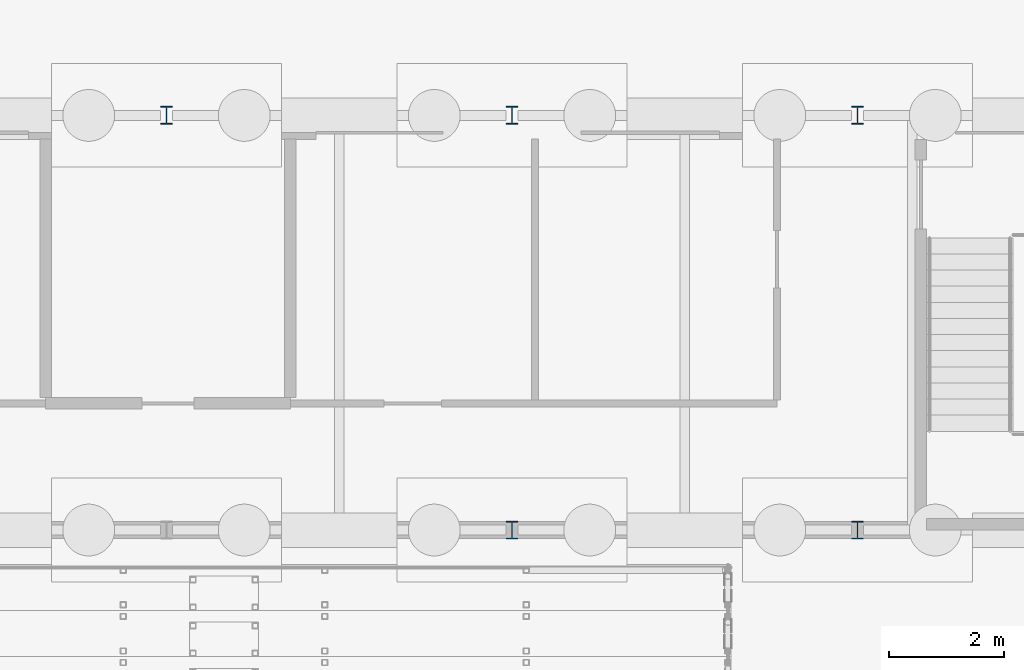
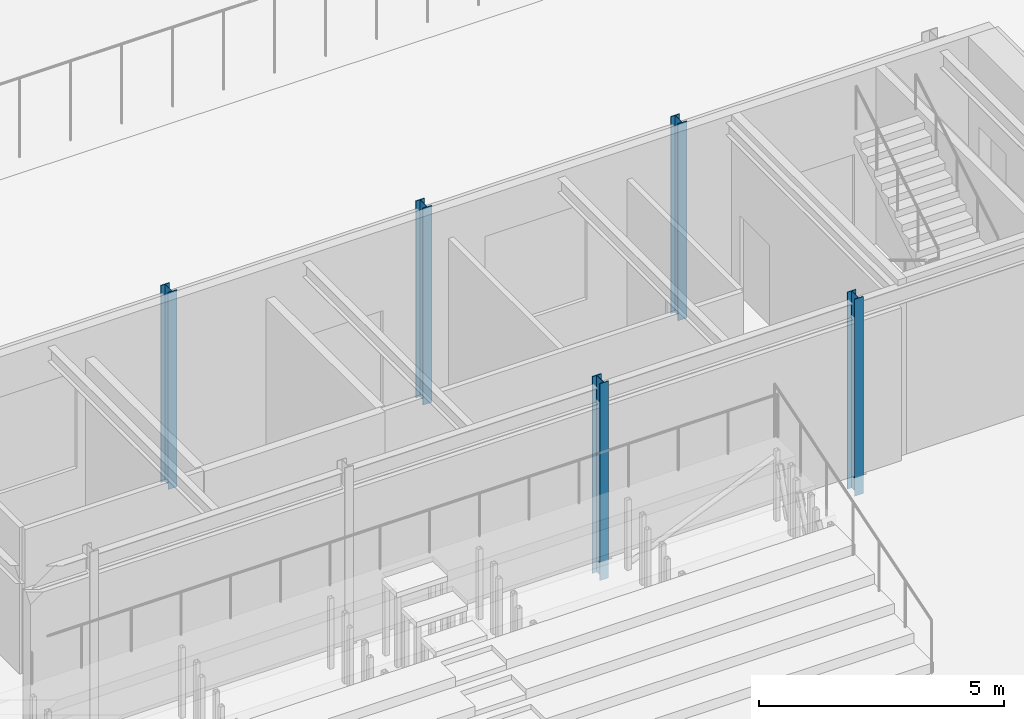
# One storey, part 16 of 139: 5 columns.
"""IFC4 building model written with IfcOpenShell, lengths in metres."""

from ifc_helpers import new_model, si_unit, direction, frame, origin, origin_2d, place, context, subcontext, project, spatial, i_section, extrude, material, material_profile, profile_set, type_object, element, save


model = new_model("IFC4")

# Units and contexts
model_context = context("Model", 3, precision=1e-05, world=origin(), true_north=direction((0.0, 1.0)))
body_context = subcontext(model_context, "Body", "Model", "MODEL_VIEW")
ifc_project = project(units=[si_unit("LENGTHUNIT", "METRE"), si_unit("AREAUNIT", "SQUARE_METRE"), si_unit("VOLUMEUNIT", "CUBIC_METRE"), si_unit("PLANEANGLEUNIT", "RADIAN"), si_unit("MASSUNIT", "GRAM", prefix="KILO")], contexts=[model_context])

# Site, building, storey
site_placement = place(None, origin())
site = spatial("IfcSite", under=ifc_project, at=site_placement, CompositionType="ELEMENT")
building_placement = place(site_placement, origin())
building = spatial("IfcBuilding", under=site, at=building_placement, Name="Verrick Yard Athletic Hall", CompositionType="ELEMENT")
storey_placement = place(building_placement, origin())
storey = spatial("IfcBuildingStorey", under=building, at=storey_placement, Name="L00", CompositionType="ELEMENT", Elevation=0.0)

# Columns
ifc_material = material(Name="Structural steel 350W (CSA G40.21)", Category="steel")
ifc_material_profile = material_profile(ifc_material, i_section(OverallWidth=0.205078125, OverallDepth=0.31005859375, WebThickness=0.009521484375, FlangeThickness=0.016357421875, at=origin_2d()), Name="W310x74")
ifc_profile_set = profile_set([ifc_material_profile], Name="Structural steel 350W (CSA G40.21)")
column_type = type_object("IfcColumnType", Name="HB column W310x74", PredefinedType="COLUMN", material=ifc_profile_set)
for number, where, z_axis, x_axis, name in (
    (1, (58.0, 108.0, -0.5), (0.0, 0.0, 1.0), (1.0, 0.0, 0.0), "HB-C-B-B5N-L00"),
    (2, (64.0, 100.800048828125, -0.5), (0.0, 0.0, 1.0), (1.0, 0.0, 0.0), "HB-C-B-B6S-L00"),
    (3, (64.0, 108.0, -0.5), (0.0, 0.0, 1.0), (1.0, 0.0, 0.0), "HB-C-B-B6N-L00"),
    (4, (70.0, 100.800048828125, -0.5), (0.0, 0.0, 1.0), (1.0, 0.0, 0.0), "HB-C-B-B7S-L00"),
    (5, (70.0, 108.0, -0.5), (0.0, 0.0, 1.0), (1.0, 0.0, 0.0), "HB-C-B-B7N-L00"),
):
    element("IfcColumn", number, at=place(storey_placement, frame(where, z_axis=z_axis, x_axis=x_axis)), inside=storey, type_object=column_type, Name=name, PredefinedType="COLUMN", context=body_context, shape_type="SweptSolid", body=[
        extrude(i_section(OverallWidth=0.205078125, OverallDepth=0.31005859375, WebThickness=0.009521484375, FlangeThickness=0.016357421875, at=origin_2d()), origin(), (0.0, 0.0, 1.0), 4.89990234375),
    ])

save(model, "model.ifc")
